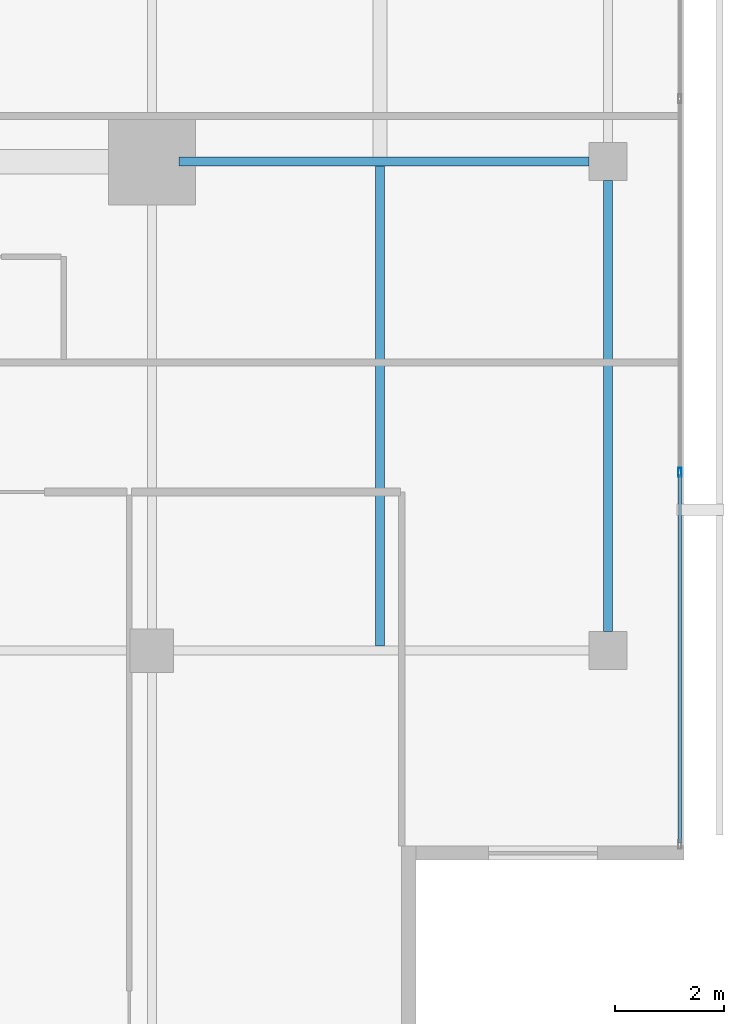
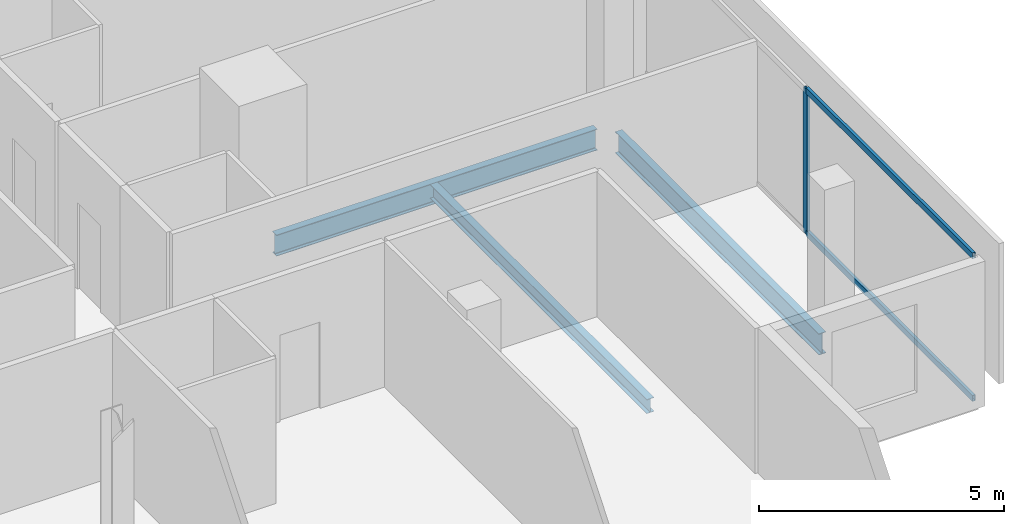
# One storey, part 12 of 25: 3 beams, 3 members, 1 element without a shape of its own.
"""IFC4 building model written with IfcOpenShell, lengths in metres."""

from ifc_helpers import new_model, si_unit, direction, frame, origin, origin_2d, place, context, subcontext, project, spatial, hollow_rectangle, i_section, extrude, material, layer, layer_set, material_profile, profile_set, type_object, element, aggregate, save


model = new_model("IFC4")

# Units and contexts
model_context = context("Model", 3, precision=1e-05, world=origin(), true_north=direction((0.0, 1.0)))
body_context = subcontext(model_context, "Body", "Model", "MODEL_VIEW")
ifc_project = project(units=[si_unit("LENGTHUNIT", "METRE"), si_unit("AREAUNIT", "SQUARE_METRE"), si_unit("VOLUMEUNIT", "CUBIC_METRE"), si_unit("PLANEANGLEUNIT", "RADIAN"), si_unit("MASSUNIT", "GRAM", prefix="KILO")], contexts=[model_context])

# Site, building, storey
site_placement = place(None, origin())
site = spatial("IfcSite", under=ifc_project, at=site_placement, CompositionType="ELEMENT")
building_placement = place(site_placement, origin())
building = spatial("IfcBuilding", under=site, at=building_placement, Name="Maruvema Waterfront Hotel and Observation Tower", CompositionType="ELEMENT")
storey_placement = place(building_placement, frame((0.0, 0.0, 304.85009765625)))
storey = spatial("IfcBuildingStorey", under=building, at=storey_placement, Name="L75", CompositionType="ELEMENT", Elevation=304.85009765625)

# Curtain wall, members
ifc_material_1 = material(Name="Anodised bronze aluminium and solar-control low-E IGU", Category="aluminium")
ifc_layer = layer(ifc_material_1, 0.159912109375, Name="Zone 3 Champagne Inner Thermal Curtain Wall System CW-04")
ifc_layer_set = layer_set([ifc_layer], Name="Anodised bronze aluminium and solar-control low-E IGU")
curtain_wall_type = type_object("IfcCurtainWallType", Name="Zone 3 Champagne Inner Thermal Curtain Wall System CW-04", PredefinedType="USERDEFINED", material=ifc_layer_set)
curtain_wall_placement = place(storey_placement, origin())
curtain_wall = element("IfcCurtainWall", 1, at=curtain_wall_placement, inside=storey, type_object=curtain_wall_type, Name="L75 Curtain Wall CW-L75-E", ObjectType="UNITISED CURTAIN WALL", PredefinedType="USERDEFINED")
ifc_material_2 = material(Name="Anodised architectural bronze aluminium", Category="aluminium")
ifc_material_profile_1 = material_profile(ifc_material_2, hollow_rectangle(XDim=0.070068359375, YDim=0.14990234375, WallThickness=0.00390625, at=origin_2d()), Name="ALU-T70x150")
ifc_profile_set_1 = profile_set([ifc_material_profile_1], Name="Anodised architectural bronze aluminium")
member_type_1 = type_object("IfcMemberType", Name="Curtain Wall Horizontal Transom ALU-T70x150", PredefinedType="USERDEFINED", material=ifc_profile_set_1)
member_1_placement = place(storey_placement, frame((60.1201171875, 14.4599609375, 0.02978515625), z_axis=(0.0, 1.0, 0.0), x_axis=(-1.0, 0.0, 0.0)))
member_1 = element("IfcMember", 2, at=member_1_placement, type_object=member_type_1, Name="CW-04 transom 1.1", ObjectType="TRANSOM", PredefinedType="USERDEFINED", context=body_context, shape_type="SweptSolid", body=[
    extrude(hollow_rectangle(XDim=0.070068359375, YDim=0.14990234375, WallThickness=0.00390625, at=origin_2d()), origin(), (0.0, 0.0, 1.0), 6.7900390625),
])
member_2_placement = place(storey_placement, frame((60.1201171875, 14.4599609375, 3.579833984375), z_axis=(0.0, 1.0, 0.0), x_axis=(-1.0, 0.0, 0.0)))
member_2 = element("IfcMember", 3, at=member_2_placement, type_object=member_type_1, Name="CW-04 transom 1.2", ObjectType="TRANSOM", PredefinedType="USERDEFINED", context=body_context, shape_type="SweptSolid", body=[
    extrude(hollow_rectangle(XDim=0.070068359375, YDim=0.14990234375, WallThickness=0.00390625, at=origin_2d()), origin(), (0.0, 0.0, 1.0), 6.7900390625),
])
ifc_material_3 = material(Name="Anodised architectural bronze aluminium", Category="aluminium")
ifc_material_profile_2 = material_profile(ifc_material_3, hollow_rectangle(XDim=0.06494140625, YDim=0.1650390625, WallThickness=0.00390625, at=origin_2d()), Name="ALU-M65x165")
ifc_profile_set_2 = profile_set([ifc_material_profile_2], Name="Anodised architectural bronze aluminium")
member_type_2 = type_object("IfcMemberType", Name="Curtain Wall Primary Mullion ALU-M65x165", PredefinedType="MULLION", material=ifc_profile_set_2)
member_3_placement = place(storey_placement, frame((60.1201171875, 21.280029296875, 0.0), z_axis=(0.0, 0.0, 1.0), x_axis=(-1.0, 0.0, 0.0)))
member_3 = element("IfcMember", 4, at=member_3_placement, type_object=member_type_2, Name="CW-04 mullion 2", PredefinedType="MULLION", context=body_context, shape_type="SweptSolid", body=[
    extrude(hollow_rectangle(XDim=0.06494140625, YDim=0.1650390625, WallThickness=0.00390625, at=origin_2d()), origin(), (0.0, 0.0, 1.0), 3.60986328125),
])
aggregate(curtain_wall, [member_3, member_1, member_2])

# Beams
ifc_material_4 = material(Name="Steel ASTM A572 Grade 50", Category="steel")
ifc_material_profile_3 = material_profile(ifc_material_4, i_section(OverallWidth=0.166015625, OverallDepth=0.529052734375, WebThickness=0.009765625, FlangeThickness=0.013671875, FilletRadius=0.014892578125, at=origin_2d()), Name="W530x74.0")
ifc_profile_set_3 = profile_set([ifc_material_profile_3], Name="Steel ASTM A572 Grade 50")
beam_type_1 = type_object("IfcBeamType", Name="Primary Floor Girder W530x74.0", PredefinedType="BEAM", material=ifc_profile_set_3)
beam_1_placement = place(storey_placement, frame((50.89990234375, 27.0, -0.504638671875), z_axis=(1.0, 0.0, 0.0), x_axis=(0.0, 1.0, 0.0)))
element("IfcBeam", 5, at=beam_1_placement, inside=storey, type_object=beam_type_1, Name="L75 Floor Girder EW-11", PredefinedType="BEAM", context=body_context, shape_type="SweptSolid", body=[
    extrude(i_section(OverallWidth=0.166015625, OverallDepth=0.529052734375, WebThickness=0.009765625, FlangeThickness=0.013671875, FilletRadius=0.014892578125, at=origin_2d()), origin(), (0.0, 0.0, 1.0), 7.550048828125),
])
beam_2_placement = place(storey_placement, frame((58.800048828125, 18.35009765625, -0.504638671875), z_axis=(0.0, 1.0, 0.0), x_axis=(-1.0, 0.0, 0.0)))
element("IfcBeam", 6, at=beam_2_placement, inside=storey, type_object=beam_type_1, Name="L75 Floor Girder NS-16", PredefinedType="BEAM", context=body_context, shape_type="SweptSolid", body=[
    extrude(i_section(OverallWidth=0.166015625, OverallDepth=0.529052734375, WebThickness=0.009765625, FlangeThickness=0.013671875, FilletRadius=0.014892578125, at=origin_2d()), origin(), (0.0, 0.0, 1.0), 8.2998046875),
])
ifc_material_5 = material(Name="Steel ASTM A572 Grade 50", Category="steel")
ifc_material_profile_4 = material_profile(ifc_material_5, i_section(OverallWidth=0.1708984375, OverallDepth=0.35498046875, WebThickness=0.007080078125, FlangeThickness=0.01171875, FilletRadius=0.014892578125, at=origin_2d()), Name="W360x51.0")
ifc_profile_set_4 = profile_set([ifc_material_profile_4], Name="Steel ASTM A572 Grade 50")
beam_type_2 = type_object("IfcBeamType", Name="Secondary Floor Joist W360x51.0", PredefinedType="JOIST", material=ifc_profile_set_4)
beam_3_placement = place(storey_placement, frame((54.60009765625, 18.0830078125, -0.41748046875), z_axis=(0.0, 1.0, 0.0), x_axis=(-1.0, 0.0, 0.0)))
element("IfcBeam", 7, at=beam_3_placement, inside=storey, type_object=beam_type_2, Name="L75 Secondary Floor Joist JS-07", PredefinedType="JOIST", context=body_context, shape_type="SweptSolid", body=[
    extrude(i_section(OverallWidth=0.1708984375, OverallDepth=0.35498046875, WebThickness=0.007080078125, FlangeThickness=0.01171875, FilletRadius=0.014892578125, at=origin_2d()), origin(), (0.0, 0.0, 1.0), 8.833984375),
])

save(model, "model.ifc")
